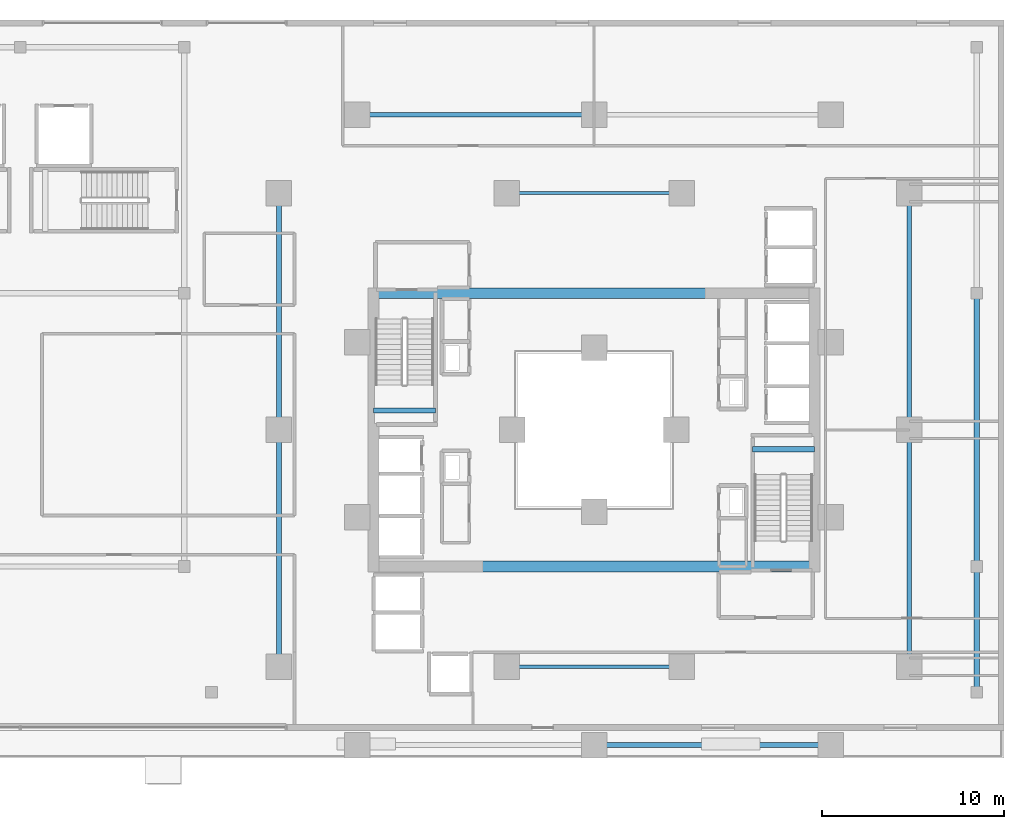
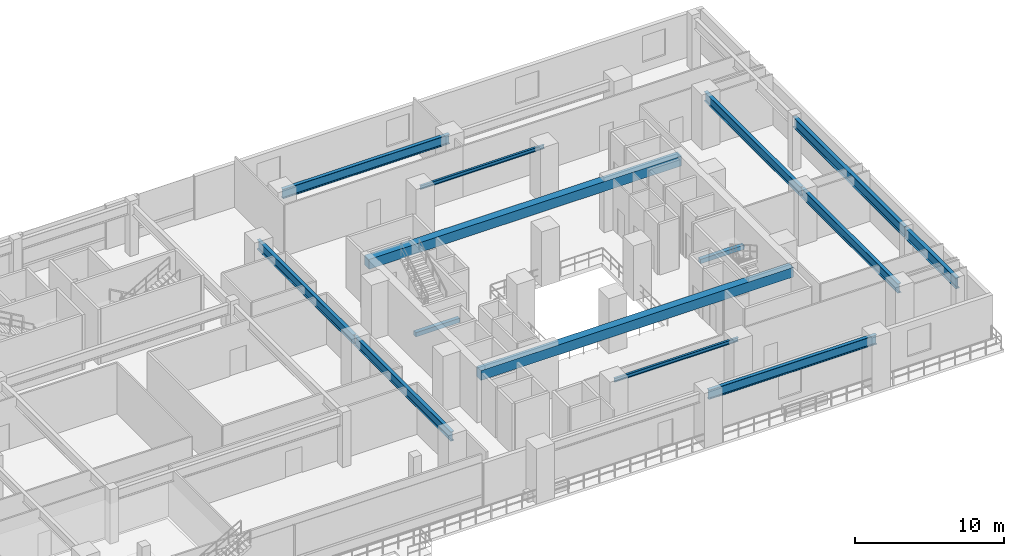
# One storey, part 8 of 22: 14 beams.
"""IFC4 building model written with IfcOpenShell, lengths in metres."""

import ifcopenshell
import ifcopenshell.guid

model = None  # the IFC model being written
_history = None  # IfcOwnerHistory: only IFC2X3 demands one
_inside = {}  # id of a spatial element -> (the spatial element, [elements in it])
_under = {}  # id of a project, library or spatial element -> (it, [spatial elements below it])
_declared = {}  # id of a project -> (the project, [libraries it declares])
_typed = {}  # id of a type object -> (the type object, [elements of that type])
_made_of = {}  # id of a material, layer set ... -> (it, [elements and type objects made of it])


def new_model(schema):
    """Start an empty IFC model of exactly this schema.

    Asked for "IFC4X3", IfcOpenShell would pick the latest addendum, in which some entities
    have other attributes; the version numbers below select the first issue.
    IFC2X3 requires an IfcOwnerHistory on every rooted entity: one is made here for all.
    """
    global model, _history
    if schema == "IFC4X3":
        model = ifcopenshell.file(schema_version=(4, 3, 0, 0))
    else:
        model = ifcopenshell.file(schema=schema)
    _inside.clear()
    _under.clear()
    _declared.clear()
    _typed.clear()
    _made_of.clear()
    _history = None
    if model.schema == "IFC2X3":
        org = make("IfcOrganization", Name="unknown")
        user = make(
            "IfcPersonAndOrganization",
            ThePerson=make("IfcPerson", FamilyName="unknown"),
            TheOrganization=org,
        )
        app = make(
            "IfcApplication",
            ApplicationDeveloper=org,
            Version="unknown",
            ApplicationFullName="unknown",
            ApplicationIdentifier="unknown",
        )
        _history = make(
            "IfcOwnerHistory",
            OwningUser=user,
            OwningApplication=app,
            ChangeAction="ADDED",
            CreationDate=0,
        )
    return model


def make(cls, **values):
    """One entity of the class cls with the attributes given. An attribute that is None is left unset."""
    return model.create_entity(
        cls, **{name: value for name, value in values.items() if value is not None}
    )


def rooted(cls, **values):
    """An entity with a GlobalId (a new one), such as an element, a storey or a relation."""
    return make(cls, GlobalId=ifcopenshell.guid.new(), OwnerHistory=_history, **values)


def si_unit(unit_type, name, prefix=None):
    """IfcSIUnit, for example si_unit("LENGTHUNIT", "METRE", prefix="MILLI")."""
    return make("IfcSIUnit", UnitType=unit_type, Prefix=prefix, Name=name)


def assignment(units):
    """IfcUnitAssignment: the units of a project."""
    return None if units is None else make("IfcUnitAssignment", Units=units)


def point(xyz):
    """IfcCartesianPoint."""
    return None if xyz is None else make("IfcCartesianPoint", Coordinates=xyz)


def direction(xyz):
    """IfcDirection."""
    return None if xyz is None else make("IfcDirection", DirectionRatios=xyz)


def frame(location, z_axis=None, x_axis=None):
    """IfcAxis2Placement3D, a coordinate frame: its origin and axes. An axis left out is left unset."""
    return make(
        "IfcAxis2Placement3D",
        Location=point(location),
        Axis=direction(z_axis),
        RefDirection=direction(x_axis),
    )


def frame_2d(location, x_axis=None):
    """IfcAxis2Placement2D, a coordinate frame in the plane: its origin and x axis."""
    return make(
        "IfcAxis2Placement2D", Location=point(location), RefDirection=direction(x_axis)
    )


def origin():
    """The frame at (0, 0, 0) with its axes left unset."""
    return frame((0.0, 0.0, 0.0))


def origin_2d():
    """The frame at (0, 0) in the plane with its x axis left unset."""
    return frame_2d((0.0, 0.0))


def place(relative_to, where):
    """IfcLocalPlacement: puts the frame where relative to a parent placement (None: the world)."""
    return make(
        "IfcLocalPlacement", PlacementRelTo=relative_to, RelativePlacement=where
    )


def context(
    kind, dimensions, precision=None, world=None, true_north=None, identifier=None
):
    """IfcGeometricRepresentationContext, for example the 3D "Model" context."""
    return make(
        "IfcGeometricRepresentationContext",
        ContextIdentifier=identifier,
        ContextType=kind,
        CoordinateSpaceDimension=dimensions,
        Precision=precision,
        WorldCoordinateSystem=world,
        TrueNorth=true_north,
    )


def subcontext(parent, identifier, kind, view, scale=None):
    """IfcGeometricRepresentationSubContext, for example "Body" below "Model"."""
    return make(
        "IfcGeometricRepresentationSubContext",
        ContextIdentifier=identifier,
        ContextType=kind,
        ParentContext=parent,
        TargetScale=scale,
        TargetView=view,
    )


def project(units=None, contexts=None):
    """IfcProject with its units and contexts."""
    return rooted(
        "IfcProject",
        Name="project",
        RepresentationContexts=contexts,
        UnitsInContext=assignment(units),
    )


def spatial(cls, under=None, at=None, **own):
    """A site, building, storey or space (cls), placed at a placement, below another one or the project."""
    s = rooted(cls, ObjectPlacement=at, **own)
    if under is not None:
        _under.setdefault(under.id(), (under, []))[1].append(s)
    return s


def profile(cls, at=None, kind="AREA", **sizes):
    """A parametric profile (cls). Its sizes go by their IFC names, for example OverallWidth=200.0."""
    return make(cls, ProfileType=kind, Position=at, **sizes)


def rectangle(**sizes):
    """IfcRectangleProfileDef."""
    return profile("IfcRectangleProfileDef", **sizes)


def i_section(**sizes):
    """IfcIShapeProfileDef."""
    return profile("IfcIShapeProfileDef", **sizes)


def extrude(swept, where, along, depth):
    """IfcExtrudedAreaSolid: the profile swept, set in the frame where, extruded along a direction by depth."""
    return make(
        "IfcExtrudedAreaSolid",
        SweptArea=swept,
        Position=where,
        ExtrudedDirection=direction(along),
        Depth=depth,
    )


def shape(context_of_items, identifier, shape_type, items):
    """IfcShapeRepresentation: the items that make up one representation, for example the "Body"."""
    return make(
        "IfcShapeRepresentation",
        ContextOfItems=context_of_items,
        RepresentationIdentifier=identifier,
        RepresentationType=shape_type,
        Items=items,
    )


def material(Name=None, Category=None):
    """IfcMaterial."""
    return make("IfcMaterial", Name=Name, Category=Category)


def material_profile(
    of_material, cross_section, Name=None, Category=None, Priority=None
):
    """IfcMaterialProfile: a cross section and its material."""
    return make(
        "IfcMaterialProfile",
        Name=Name,
        Material=of_material,
        Profile=cross_section,
        Priority=Priority,
        Category=Category,
    )


def profile_set(profiles, Name=None, composite=None):
    """IfcMaterialProfileSet."""
    return make(
        "IfcMaterialProfileSet",
        Name=Name,
        MaterialProfiles=profiles,
        CompositeProfile=composite,
    )


def made_of(thing, what):
    """Note that an element or type object is made of a material, layer set ...; save() writes the relation."""
    if what is not None:
        _made_of.setdefault(what.id(), (what, []))[1].append(thing)
    return thing


def type_object(cls, material=None, **own):
    """A type object (cls), such as IfcWallType, which elements share."""
    return made_of(rooted(cls, **own), material)


def element(
    cls,
    number,
    at=None,
    inside=None,
    cuts=None,
    type_object=None,
    material=None,
    context=None,
    identifier="Body",
    shape_type=None,
    held_by="IfcProductDefinitionShape",
    body=None,
    shapes=None,
    **own,
):
    """One element of the class cls, such as IfcWall. Its Tag is "e" and its number.

    at: its placement. inside: the storey or other place that contains it. cuts: it is an
    opening in that element (IfcRelVoidsElement). A single representation is given by context,
    identifier, shape_type and body (its items); several are given by shapes. held_by: the class
    of the entity that holds the representations. save() writes the other relations.
    """
    e = rooted(cls, Tag="e%d" % number, ObjectPlacement=at, **own)
    if body is not None:
        shapes = [shape(context, identifier, shape_type, body)]
    if shapes is not None:
        e.Representation = make(held_by, Representations=shapes)
    if inside is not None:
        _inside.setdefault(inside.id(), (inside, []))[1].append(e)
    if cuts is not None:
        rooted(
            "IfcRelVoidsElement", RelatingBuildingElement=cuts, RelatedOpeningElement=e
        )
    if type_object is not None:
        _typed.setdefault(type_object.id(), (type_object, []))[1].append(e)
    return made_of(e, material)


def aggregate(whole, parts):
    """IfcRelAggregates: a whole, such as a stair, and the parts it consists of."""
    return rooted("IfcRelAggregates", RelatingObject=whole, RelatedObjects=parts)


def save(model, path):
    """Write the relations noted so far, then the file.

    IfcRelAggregates (storeys below a building ...), IfcRelContainedInSpatialStructure (elements
    in a storey), IfcRelDefinesByType, IfcRelAssociatesMaterial and IfcRelDeclares: one each for
    every whole, place, type object, material and project.
    """
    for whole, parts in _under.values():
        aggregate(whole, parts)
    for where, things in _inside.values():
        rooted(
            "IfcRelContainedInSpatialStructure",
            RelatedElements=things,
            RelatingStructure=where,
        )
    for kind, things in _typed.values():
        rooted("IfcRelDefinesByType", RelatedObjects=things, RelatingType=kind)
    for what, things in _made_of.values():
        rooted("IfcRelAssociatesMaterial", RelatedObjects=things, RelatingMaterial=what)
    for by, libraries in _declared.values():
        rooted("IfcRelDeclares", RelatingContext=by, RelatedDefinitions=libraries)
    model.write(path)


model = new_model("IFC4")

# Units and contexts
model_context = context("Model", 3, precision=1e-05, world=origin(), true_north=direction((0.0, 1.0)))
body_context = subcontext(model_context, "Body", "Model", "MODEL_VIEW")
ifc_project = project(units=[si_unit("LENGTHUNIT", "METRE"), si_unit("AREAUNIT", "SQUARE_METRE"), si_unit("VOLUMEUNIT", "CUBIC_METRE"), si_unit("PLANEANGLEUNIT", "RADIAN"), si_unit("MASSUNIT", "GRAM", prefix="KILO")], contexts=[model_context])

# Site, building, storey
site_placement = place(None, origin())
site = spatial("IfcSite", under=ifc_project, at=site_placement, CompositionType="ELEMENT")
building_placement = place(site_placement, origin())
building = spatial("IfcBuilding", under=site, at=building_placement, Name="Thornwick Lancets Civic Towers", CompositionType="ELEMENT")
storey_placement = place(building_placement, frame((0.0, 0.0, 18.60009765625)))
storey = spatial("IfcBuildingStorey", under=building, at=storey_placement, Name="L04", CompositionType="ELEMENT", Elevation=18.60009765625)

# Beams
ifc_material_1 = material(Name="Concrete C60/75", Category="concrete")
ifc_material_profile_1 = material_profile(ifc_material_1, rectangle(XDim=0.60009765625, YDim=0.800048828125, at=origin_2d()), Name="RC 600x800")
ifc_profile_set_1 = profile_set([ifc_material_profile_1], Name="Concrete C60/75")
beam_type_1 = type_object("IfcBeamType", Name="BM_COUP_RC800", PredefinedType="BEAM", material=ifc_profile_set_1)
for number, where, z_axis, x_axis, name in (
    (1, (76.39990234375, 34.5, 3.77978515625), (1.0, 0.0, 0.0), (0.0, 1.0, 0.0), "CB-L04-B1"),
    (2, (76.39990234375, 19.5, 3.77978515625), (1.0, 0.0, 0.0), (0.0, 1.0, 0.0), "CB-L04-B2"),
):
    element("IfcBeam", number, at=place(storey_placement, frame(where, z_axis=z_axis, x_axis=x_axis)), inside=storey, type_object=beam_type_1, Name=name, PredefinedType="BEAM", context=body_context, shape_type="SweptSolid", body=[
        extrude(rectangle(XDim=0.60009765625, YDim=0.800048828125, at=origin_2d()), origin(), (0.0, 0.0, 1.0), 24.2001953125),
    ])
ifc_material_2 = material(Name="Steel S355JR", Category="steel")
ifc_material_profile_2 = material_profile(ifc_material_2, i_section(OverallWidth=0.26806640625, OverallDepth=0.769775390625, WebThickness=0.015625, FlangeThickness=0.025390625, FilletRadius=0.0166015625, at=origin_2d()), Name="UKB 762x267x197")
ifc_profile_set_2 = profile_set([ifc_material_profile_2], Name="Steel S355JR")
beam_type_2 = type_object("IfcBeamType", Name="BM_GIRD_762_197", PredefinedType="BEAM", material=ifc_profile_set_2)
beam_1_placement = place(storey_placement, frame((105.800048828125, 14.0, 3.794921875), z_axis=(0.0, 1.0, 0.0), x_axis=(-1.0, 0.0, 0.0)))
element("IfcBeam", 3, at=beam_1_placement, inside=storey, type_object=beam_type_2, Name="BM-SPINE-L04-B-0-1", PredefinedType="BEAM", context=body_context, shape_type="SweptSolid", body=[
    extrude(i_section(OverallWidth=0.26806640625, OverallDepth=0.769775390625, WebThickness=0.015625, FlangeThickness=0.025390625, FilletRadius=0.0166015625, at=origin_2d()), origin(), (0.0, 0.0, 1.0), 13.0),
])
for number, where, z_axis, x_axis, name in (
    (4, (105.800048828125, 27.080078125, 3.794921875), (0.0, 1.0, 0.0), (-1.0, 0.0, 0.0), "BM-SPINE-L04-B-1-2"),
    (5, (88.419921875, 44.300048828125, 3.794921875), (-1.0, 0.0, 0.0), (0.0, -1.0, 0.0), "BM-SPINE-L04-B-4-5"),
):
    element("IfcBeam", number, at=place(storey_placement, frame(where, z_axis=z_axis, x_axis=x_axis)), inside=storey, type_object=beam_type_2, Name=name, PredefinedType="BEAM", context=body_context, shape_type="SweptSolid", body=[
        extrude(i_section(OverallWidth=0.26806640625, OverallDepth=0.769775390625, WebThickness=0.015625, FlangeThickness=0.025390625, FilletRadius=0.0166015625, at=origin_2d()), origin(), (0.0, 0.0, 1.0), 12.919921875),
    ])
beam_2_placement = place(storey_placement, frame((71.199951171875, 14.0, 3.794921875), z_axis=(0.0, 1.0, 0.0), x_axis=(-1.0, 0.0, 0.0)))
element("IfcBeam", 6, at=beam_2_placement, inside=storey, type_object=beam_type_2, Name="BM-SPINE-L04-B-6-7", PredefinedType="BEAM", context=body_context, shape_type="SweptSolid", body=[
    extrude(i_section(OverallWidth=0.26806640625, OverallDepth=0.769775390625, WebThickness=0.015625, FlangeThickness=0.025390625, FilletRadius=0.0166015625, at=origin_2d()), origin(), (0.0, 0.0, 1.0), 13.0),
])
beam_3_placement = place(storey_placement, frame((71.199951171875, 27.080078125, 3.794921875), z_axis=(0.0, 1.0, 0.0), x_axis=(-1.0, 0.0, 0.0)))
element("IfcBeam", 7, at=beam_3_placement, inside=storey, type_object=beam_type_2, Name="BM-SPINE-L04-B-7-8", PredefinedType="BEAM", context=body_context, shape_type="SweptSolid", body=[
    extrude(i_section(OverallWidth=0.26806640625, OverallDepth=0.769775390625, WebThickness=0.015625, FlangeThickness=0.025390625, FilletRadius=0.0166015625, at=origin_2d()), origin(), (0.0, 0.0, 1.0), 12.919921875),
])
beam_4_placement = place(storey_placement, frame((101.5, 9.699951171875, 3.794921875), z_axis=(-1.0, 0.0, 0.0), x_axis=(0.0, -1.0, 0.0)))
element("IfcBeam", 8, at=beam_4_placement, inside=storey, type_object=beam_type_2, Name="BM-SPINE-L04-B-9-10", PredefinedType="BEAM", context=body_context, shape_type="SweptSolid", body=[
    extrude(i_section(OverallWidth=0.26806640625, OverallDepth=0.769775390625, WebThickness=0.015625, FlangeThickness=0.025390625, FilletRadius=0.0166015625, at=origin_2d()), origin(), (0.0, 0.0, 1.0), 13.0),
])
ifc_material_profile_3 = material_profile(ifc_material_2, i_section(OverallWidth=0.1669921875, OverallDepth=0.310302734375, WebThickness=0.0078125, FlangeThickness=0.013671875, FilletRadius=0.0087890625, at=origin_2d()), Name="UKB 305x165x54")
ifc_profile_set_3 = profile_set([ifc_material_profile_3], Name="Steel S355JR")
beam_type_3 = type_object("IfcBeamType", Name="BM_LINTEL_305_54", PredefinedType="LINTEL", material=ifc_profile_set_3)
for number, where, z_axis, x_axis, name in (
    (9, (93.300048828125, 14.0, 4.024658203125), (-1.0, 0.0, 0.0), (0.0, -1.0, 0.0), "BM-INSP-L04-B-0-2"),
    (10, (93.300048828125, 40.0, 4.024658203125), (-1.0, 0.0, 0.0), (0.0, -1.0, 0.0), "BM-INSP-L04-B-1-3"),
):
    element("IfcBeam", number, at=place(storey_placement, frame(where, z_axis=z_axis, x_axis=x_axis)), inside=storey, type_object=beam_type_3, Name=name, PredefinedType="LINTEL", context=body_context, shape_type="SweptSolid", body=[
        extrude(i_section(OverallWidth=0.1669921875, OverallDepth=0.310302734375, WebThickness=0.0078125, FlangeThickness=0.013671875, FilletRadius=0.0087890625, at=origin_2d()), origin(), (0.0, 0.0, 1.0), 9.60009765625),
    ])
ifc_material_profile_4 = material_profile(ifc_material_2, i_section(OverallWidth=0.293701171875, OverallDepth=0.850830078125, WebThickness=0.01611328125, FlangeThickness=0.02685546875, FilletRadius=0.017822265625, at=origin_2d()), Name="UKB 838x292x226")
ifc_profile_set_4 = profile_set([ifc_material_profile_4], Name="Steel S355JR")
beam_type_4 = type_object("IfcBeamType", Name="BM_POD_838_226", PredefinedType="BEAM", material=ifc_profile_set_4)
beam_5_placement = place(storey_placement, frame((109.5, 12.60009765625, 3.75439453125), z_axis=(0.0, 1.0, 0.0), x_axis=(-1.0, 0.0, 0.0)))
element("IfcBeam", 11, at=beam_5_placement, inside=storey, type_object=beam_type_4, Name="BM-PODG-L04-3-14", PredefinedType="BEAM", context=body_context, shape_type="SweptSolid", body=[
    extrude(i_section(OverallWidth=0.293701171875, OverallDepth=0.850830078125, WebThickness=0.01611328125, FlangeThickness=0.02685546875, FilletRadius=0.017822265625, at=origin_2d()), origin(), (0.0, 0.0, 1.0), 6.89990234375),
])
beam_6_placement = place(storey_placement, frame((109.5, 19.580078125, 3.75439453125), z_axis=(0.0, 1.0, 0.0), x_axis=(-1.0, 0.0, 0.0)))
element("IfcBeam", 12, at=beam_6_placement, inside=storey, type_object=beam_type_4, Name="BM-PODG-L04-14-15", PredefinedType="BEAM", context=body_context, shape_type="SweptSolid", body=[
    extrude(i_section(OverallWidth=0.293701171875, OverallDepth=0.850830078125, WebThickness=0.01611328125, FlangeThickness=0.02685546875, FilletRadius=0.017822265625, at=origin_2d()), origin(), (0.0, 0.0, 1.0), 14.919921875),
])
ifc_material_3 = material(Name="Concrete C40/50", Category="concrete")
ifc_material_profile_5 = material_profile(ifc_material_3, rectangle(XDim=0.300048828125, YDim=0.35009765625, at=origin_2d()), Name="RC 300x350")
ifc_profile_set_5 = profile_set([ifc_material_profile_5], Name="Concrete C40/50")
beam_type_5 = type_object("IfcBeamType", Name="BM_STAIR_LDG", PredefinedType="BEAM", material=ifc_profile_set_5)
for number, where, z_axis, x_axis, name in (
    (13, (100.60009765625, 25.93505859375, 1.827880859375), (-1.0, 0.0, 0.0), (0.0, -1.0, 0.0), "L04 ST-B1 Landing Support Beam 1"),
    (14, (76.39990234375, 28.06494140625, 1.827880859375), (1.0, 0.0, 0.0), (0.0, 1.0, 0.0), "L04 ST-B2 Landing Support Beam 1"),
):
    element("IfcBeam", number, at=place(storey_placement, frame(where, z_axis=z_axis, x_axis=x_axis)), inside=storey, type_object=beam_type_5, Name=name, PredefinedType="BEAM", context=body_context, shape_type="SweptSolid", body=[
        extrude(rectangle(XDim=0.300048828125, YDim=0.35009765625, at=origin_2d()), origin(), (0.0, 0.0, 1.0), 3.400146484375),
    ])

save(model, "model.ifc")
